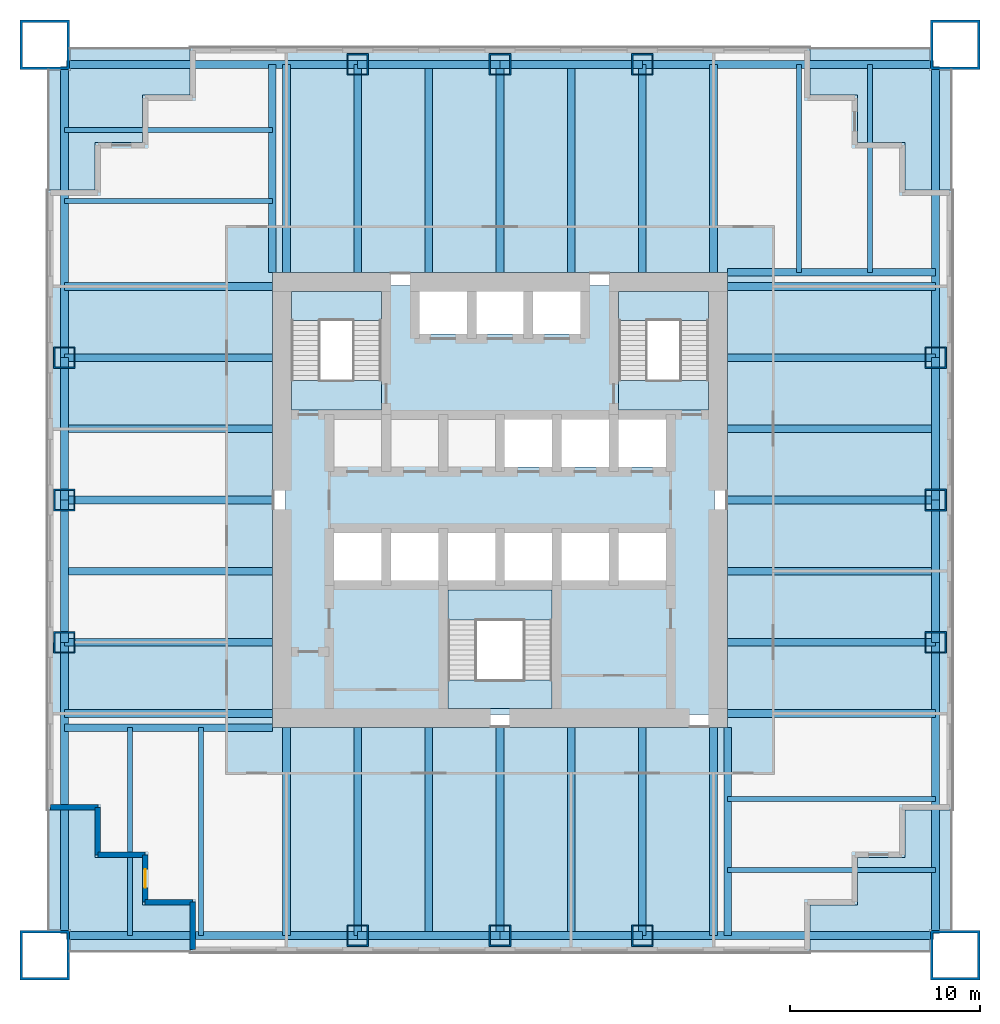
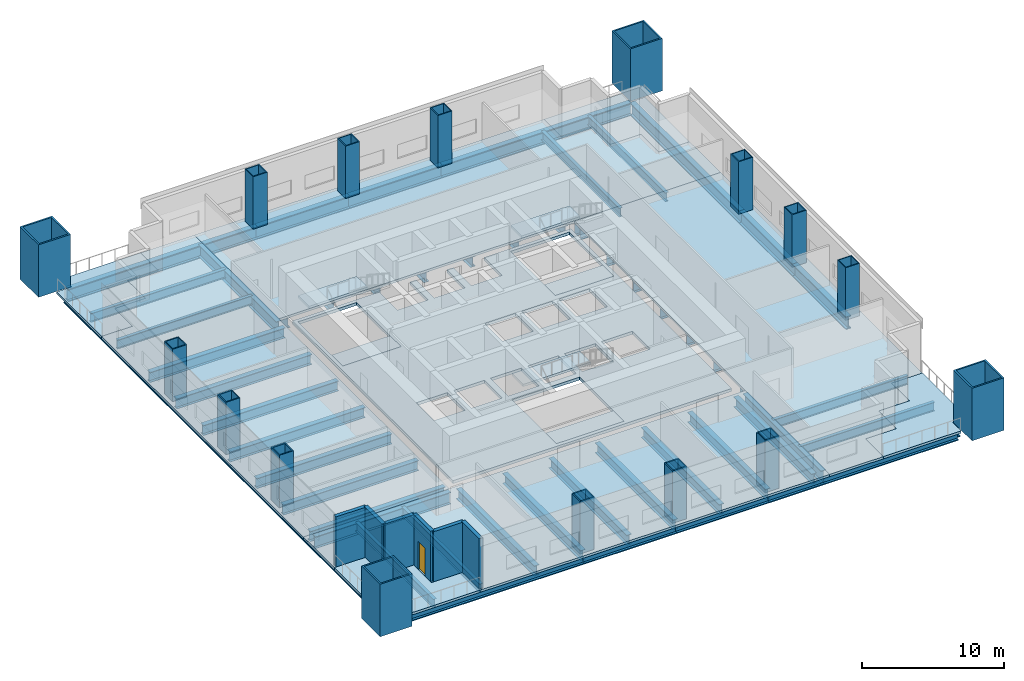
# One storey, part 1 of 6: 56 beams, 16 columns, 15 slabs, 6 walls, 1 door, 1 opening, 3 elements without a shape of their own.
"""IFC4 building model written with IfcOpenShell, lengths in metres."""

from ifc_helpers import new_model, si_unit, direction, frame, frame_2d, origin, origin_2d, place, context, subcontext, project, spatial, polyline, rectangle, hollow_rectangle, i_section, outline, extrude, material, layer, layer_set, material_profile, profile_set, type_object, element, fill, aggregate, save


model = new_model("IFC4")

# Units and contexts
model_context = context("Model", 3, precision=1e-05, world=origin(), true_north=direction((0.0, 1.0)))
body_context = subcontext(model_context, "Body", "Model", "MODEL_VIEW")
ifc_project = project(units=[si_unit("LENGTHUNIT", "METRE"), si_unit("AREAUNIT", "SQUARE_METRE"), si_unit("VOLUMEUNIT", "CUBIC_METRE"), si_unit("PLANEANGLEUNIT", "RADIAN"), si_unit("MASSUNIT", "GRAM", prefix="KILO")], contexts=[model_context])

# Site, building, storey
site_placement = place(None, origin())
site = spatial("IfcSite", under=ifc_project, at=site_placement, CompositionType="ELEMENT")
building_placement = place(site_placement, origin())
building = spatial("IfcBuilding", under=site, at=building_placement, Name="Tarangal Relay Tower", CompositionType="ELEMENT")
storey_placement = place(building_placement, frame((0.0, 0.0, 140.39990234375)))
storey = spatial("IfcBuildingStorey", under=building, at=storey_placement, Name="L28", CompositionType="ELEMENT", Elevation=140.39990234375)

# Columns
ifc_material_1 = material(Name="Steel ASTM A572 Grade 42", Category="steel")
ifc_material_profile_1 = material_profile(ifc_material_1, hollow_rectangle(XDim=2.60009765625, YDim=2.60009765625, WallThickness=0.1298828125, at=origin_2d()), Name="BOX2600X2600X130")
ifc_profile_set_1 = profile_set([ifc_material_profile_1], Name="Steel ASTM A572 Grade 42")
column_type_1 = type_object("IfcColumnType", Name="Mega column BOX2600X2600X130", PredefinedType="COLUMN", material=ifc_profile_set_1)
for number, where, z_axis, x_axis, name in (
    (1, (24.0, 24.0, 0.0), (0.0, 0.0, 1.0), (1.0, 0.0, 0.0), "Mega column MC2 NE L28"),
    (2, (24.0, -24.0, 0.0), (0.0, 0.0, 1.0), (1.0, 0.0, 0.0), "Mega column MC2 SE L28"),
    (3, (-24.0, -24.0, 0.0), (0.0, 0.0, 1.0), (1.0, 0.0, 0.0), "Mega column MC2 SW L28"),
    (4, (-24.0, 24.0, 0.0), (0.0, 0.0, 1.0), (1.0, 0.0, 0.0), "Mega column MC2 NW L28"),
):
    element("IfcColumn", number, at=place(storey_placement, frame(where, z_axis=z_axis, x_axis=x_axis)), inside=storey, type_object=column_type_1, Name=name, PredefinedType="COLUMN", context=body_context, shape_type="SweptSolid", body=[
        extrude(hollow_rectangle(XDim=2.60009765625, YDim=2.60009765625, WallThickness=0.1298828125, at=origin_2d()), origin(), (0.0, 0.0, 1.0), 4.5),
    ])
ifc_material_2 = material(Name="Steel ASTM A572 Grade 50", Category="steel")
ifc_material_profile_2 = material_profile(ifc_material_2, hollow_rectangle(XDim=1.14990234375, YDim=1.14990234375, WallThickness=0.074951171875, at=origin_2d()), Name="BOX1150X1150X75")
ifc_profile_set_2 = profile_set([ifc_material_profile_2], Name="Steel ASTM A572 Grade 50")
column_type_2 = type_object("IfcColumnType", Name="Perimeter column BOX1150X1150X75", PredefinedType="COLUMN", material=ifc_profile_set_2)
for number, where, z_axis, x_axis, name in (
    (5, (-7.5, 22.965087890625, 0.0), (0.0, 0.0, 1.0), (1.0, 0.0, 0.0), "Perimeter column PC3 N L28"),
    (6, (0.0, 22.965087890625, 0.0), (0.0, 0.0, 1.0), (1.0, 0.0, 0.0), "Perimeter column PC3 N L28"),
    (7, (7.5, 22.965087890625, 0.0), (0.0, 0.0, 1.0), (1.0, 0.0, 0.0), "Perimeter column PC3 N L28"),
    (8, (22.965087890625, 7.5, 0.0), (0.0, 0.0, 1.0), (1.0, 0.0, 0.0), "Perimeter column PC3 E L28"),
    (9, (22.965087890625, 0.0, 0.0), (0.0, 0.0, 1.0), (1.0, 0.0, 0.0), "Perimeter column PC3 E L28"),
    (10, (22.965087890625, -7.5, 0.0), (0.0, 0.0, 1.0), (1.0, 0.0, 0.0), "Perimeter column PC3 E L28"),
    (11, (7.5, -22.965087890625, 0.0), (0.0, 0.0, 1.0), (1.0, 0.0, 0.0), "Perimeter column PC3 S L28"),
    (12, (0.0, -22.965087890625, 0.0), (0.0, 0.0, 1.0), (1.0, 0.0, 0.0), "Perimeter column PC3 S L28"),
    (13, (-7.5, -22.965087890625, 0.0), (0.0, 0.0, 1.0), (1.0, 0.0, 0.0), "Perimeter column PC3 S L28"),
    (14, (-22.965087890625, -7.5, 0.0), (0.0, 0.0, 1.0), (1.0, 0.0, 0.0), "Perimeter column PC3 W L28"),
    (15, (-22.965087890625, 0.0, 0.0), (0.0, 0.0, 1.0), (1.0, 0.0, 0.0), "Perimeter column PC3 W L28"),
    (16, (-22.965087890625, 7.5, 0.0), (0.0, 0.0, 1.0), (1.0, 0.0, 0.0), "Perimeter column PC3 W L28"),
):
    element("IfcColumn", number, at=place(storey_placement, frame(where, z_axis=z_axis, x_axis=x_axis)), inside=storey, type_object=column_type_2, Name=name, PredefinedType="COLUMN", context=body_context, shape_type="SweptSolid", body=[
        extrude(hollow_rectangle(XDim=1.14990234375, YDim=1.14990234375, WallThickness=0.074951171875, at=origin_2d()), origin(), (0.0, 0.0, 1.0), 4.5),
    ])

# Beams
ifc_material_3 = material(Name="Steel ASTM A992", Category="steel")
ifc_material_profile_3 = material_profile(ifc_material_3, i_section(OverallWidth=0.2666015625, OverallDepth=0.76953125, WebThickness=0.015625, FlangeThickness=0.025390625, at=origin_2d()), Name="W30X132")
ifc_profile_set_3 = profile_set([ifc_material_profile_3], Name="Steel ASTM A992")
beam_type_1 = type_object("IfcBeamType", Name="Corner beam W30X132", PredefinedType="JOIST", material=ifc_profile_set_3)
for number, where, z_axis, x_axis, name in (
    (17, (15.75, 12.0, -0.584716796875), (0.0, 1.0, 0.0), (-1.0, 0.0, 0.0), "Corner beam CB13 N L28"),
    (18, (19.5, 12.0, -0.584716796875), (0.0, 1.0, 0.0), (-1.0, 0.0, 0.0), "Corner beam CB13 N L28"),
    (19, (12.0, -15.75, -0.584716796875), (1.0, 0.0, 0.0), (0.0, 1.0, 0.0), "Corner beam CB13 E L28"),
    (20, (12.0, -19.5, -0.584716796875), (1.0, 0.0, 0.0), (0.0, 1.0, 0.0), "Corner beam CB13 E L28"),
    (21, (-15.75, -12.0, -0.584716796875), (0.0, -1.0, 0.0), (1.0, 0.0, 0.0), "Corner beam CB13 S L28"),
    (22, (-19.5, -12.0, -0.584716796875), (0.0, -1.0, 0.0), (1.0, 0.0, 0.0), "Corner beam CB13 S L28"),
    (23, (-12.0, 15.75, -0.584716796875), (-1.0, 0.0, 0.0), (0.0, -1.0, 0.0), "Corner beam CB13 W L28"),
    (24, (-12.0, 19.5, -0.584716796875), (-1.0, 0.0, 0.0), (0.0, -1.0, 0.0), "Corner beam CB13 W L28"),
):
    element("IfcBeam", number, at=place(storey_placement, frame(where, z_axis=z_axis, x_axis=x_axis)), inside=storey, type_object=beam_type_1, Name=name, PredefinedType="JOIST", context=body_context, shape_type="SweptSolid", body=[
        extrude(i_section(OverallWidth=0.2666015625, OverallDepth=0.76953125, WebThickness=0.015625, FlangeThickness=0.025390625, at=origin_2d()), origin(), (0.0, 0.0, 1.0), 10.965087890625),
    ])
ifc_material_profile_4 = material_profile(ifc_material_3, i_section(OverallWidth=0.4013671875, OverallDepth=1.01611328125, WebThickness=0.02099609375, FlangeThickness=0.0400390625, at=origin_2d()), Name="W40X277")
ifc_profile_set_4 = profile_set([ifc_material_profile_4], Name="Steel ASTM A992")
beam_type_2 = type_object("IfcBeamType", Name="Corner girder W40X277", PredefinedType="BEAM", material=ifc_profile_set_4)
for number, where, z_axis, x_axis, name in (
    (25, (12.0, 12.0, -0.7080078125), (1.0, 0.0, 0.0), (0.0, 1.0, 0.0), "Corner girder CG3 N L28"),
    (26, (12.0, -12.0, -0.7080078125), (0.0, -1.0, 0.0), (1.0, 0.0, 0.0), "Corner girder CG3 E L28"),
    (27, (-12.0, -12.0, -0.7080078125), (-1.0, 0.0, 0.0), (0.0, -1.0, 0.0), "Corner girder CG3 S L28"),
    (28, (-12.0, 12.0, -0.7080078125), (0.0, 1.0, 0.0), (-1.0, 0.0, 0.0), "Corner girder CG3 W L28"),
):
    element("IfcBeam", number, at=place(storey_placement, frame(where, z_axis=z_axis, x_axis=x_axis)), inside=storey, type_object=beam_type_2, Name=name, PredefinedType="BEAM", context=body_context, shape_type="SweptSolid", body=[
        extrude(i_section(OverallWidth=0.4013671875, OverallDepth=1.01611328125, WebThickness=0.02099609375, FlangeThickness=0.0400390625, at=origin_2d()), origin(), (0.0, 0.0, 1.0), 10.965087890625),
    ])
ifc_material_profile_5 = material_profile(ifc_material_3, i_section(OverallWidth=0.42431640625, OverallDepth=1.09228515625, WebThickness=0.04541015625, FlangeThickness=0.08203125, at=origin_2d()), Name="W40X593")
ifc_profile_set_5 = profile_set([ifc_material_profile_5], Name="Steel ASTM A992")
beam_type_3 = type_object("IfcBeamType", Name="Edge girder W40X593", PredefinedType="SPANDREL", material=ifc_profile_set_5)
beam_1_placement = place(storey_placement, frame((-22.85009765625, 22.965087890625, -0.74609375), z_axis=(1.0, 0.0, 0.0), x_axis=(0.0, 1.0, 0.0)))
element("IfcBeam", 29, at=beam_1_placement, inside=storey, type_object=beam_type_3, Name="Edge girder EG9 N L28", PredefinedType="SPANDREL", context=body_context, shape_type="SweptSolid", body=[
    extrude(i_section(OverallWidth=0.42431640625, OverallDepth=1.09228515625, WebThickness=0.04541015625, FlangeThickness=0.08203125, at=origin_2d()), origin(), (0.0, 0.0, 1.0), 15.35009765625),
])
for number, where, z_axis, x_axis, name in (
    (30, (-7.5, 22.965087890625, -0.74609375), (1.0, 0.0, 0.0), (0.0, 1.0, 0.0), "Edge girder EG9 N L28"),
    (31, (0.0, 22.965087890625, -0.74609375), (1.0, 0.0, 0.0), (0.0, 1.0, 0.0), "Edge girder EG9 N L28"),
):
    element("IfcBeam", number, at=place(storey_placement, frame(where, z_axis=z_axis, x_axis=x_axis)), inside=storey, type_object=beam_type_3, Name=name, PredefinedType="SPANDREL", context=body_context, shape_type="SweptSolid", body=[
        extrude(i_section(OverallWidth=0.42431640625, OverallDepth=1.09228515625, WebThickness=0.04541015625, FlangeThickness=0.08203125, at=origin_2d()), origin(), (0.0, 0.0, 1.0), 7.5),
    ])
for number, where, z_axis, x_axis, name in (
    (32, (7.5, 22.965087890625, -0.74609375), (1.0, 0.0, 0.0), (0.0, 1.0, 0.0), "Edge girder EG9 N L28"),
    (33, (22.965087890625, 22.85009765625, -0.74609375), (0.0, -1.0, 0.0), (1.0, 0.0, 0.0), "Edge girder EG9 E L28"),
):
    element("IfcBeam", number, at=place(storey_placement, frame(where, z_axis=z_axis, x_axis=x_axis)), inside=storey, type_object=beam_type_3, Name=name, PredefinedType="SPANDREL", context=body_context, shape_type="SweptSolid", body=[
        extrude(i_section(OverallWidth=0.42431640625, OverallDepth=1.09228515625, WebThickness=0.04541015625, FlangeThickness=0.08203125, at=origin_2d()), origin(), (0.0, 0.0, 1.0), 15.35009765625),
    ])
for number, where, z_axis, x_axis, name in (
    (34, (22.965087890625, 7.5, -0.74609375), (0.0, -1.0, 0.0), (1.0, 0.0, 0.0), "Edge girder EG9 E L28"),
    (35, (22.965087890625, 0.0, -0.74609375), (0.0, -1.0, 0.0), (1.0, 0.0, 0.0), "Edge girder EG9 E L28"),
):
    element("IfcBeam", number, at=place(storey_placement, frame(where, z_axis=z_axis, x_axis=x_axis)), inside=storey, type_object=beam_type_3, Name=name, PredefinedType="SPANDREL", context=body_context, shape_type="SweptSolid", body=[
        extrude(i_section(OverallWidth=0.42431640625, OverallDepth=1.09228515625, WebThickness=0.04541015625, FlangeThickness=0.08203125, at=origin_2d()), origin(), (0.0, 0.0, 1.0), 7.5),
    ])
for number, where, z_axis, x_axis, name in (
    (36, (22.965087890625, -7.5, -0.74609375), (0.0, -1.0, 0.0), (1.0, 0.0, 0.0), "Edge girder EG9 E L28"),
    (37, (22.85009765625, -22.965087890625, -0.74609375), (-1.0, 0.0, 0.0), (0.0, -1.0, 0.0), "Edge girder EG9 S L28"),
):
    element("IfcBeam", number, at=place(storey_placement, frame(where, z_axis=z_axis, x_axis=x_axis)), inside=storey, type_object=beam_type_3, Name=name, PredefinedType="SPANDREL", context=body_context, shape_type="SweptSolid", body=[
        extrude(i_section(OverallWidth=0.42431640625, OverallDepth=1.09228515625, WebThickness=0.04541015625, FlangeThickness=0.08203125, at=origin_2d()), origin(), (0.0, 0.0, 1.0), 15.35009765625),
    ])
for number, where, z_axis, x_axis, name in (
    (38, (7.5, -22.965087890625, -0.74609375), (-1.0, 0.0, 0.0), (0.0, -1.0, 0.0), "Edge girder EG9 S L28"),
    (39, (0.0, -22.965087890625, -0.74609375), (-1.0, 0.0, 0.0), (0.0, -1.0, 0.0), "Edge girder EG9 S L28"),
):
    element("IfcBeam", number, at=place(storey_placement, frame(where, z_axis=z_axis, x_axis=x_axis)), inside=storey, type_object=beam_type_3, Name=name, PredefinedType="SPANDREL", context=body_context, shape_type="SweptSolid", body=[
        extrude(i_section(OverallWidth=0.42431640625, OverallDepth=1.09228515625, WebThickness=0.04541015625, FlangeThickness=0.08203125, at=origin_2d()), origin(), (0.0, 0.0, 1.0), 7.5),
    ])
for number, where, z_axis, x_axis, name in (
    (40, (-7.5, -22.965087890625, -0.74609375), (-1.0, 0.0, 0.0), (0.0, -1.0, 0.0), "Edge girder EG9 S L28"),
    (41, (-22.965087890625, -22.85009765625, -0.74609375), (0.0, 1.0, 0.0), (-1.0, 0.0, 0.0), "Edge girder EG9 W L28"),
):
    element("IfcBeam", number, at=place(storey_placement, frame(where, z_axis=z_axis, x_axis=x_axis)), inside=storey, type_object=beam_type_3, Name=name, PredefinedType="SPANDREL", context=body_context, shape_type="SweptSolid", body=[
        extrude(i_section(OverallWidth=0.42431640625, OverallDepth=1.09228515625, WebThickness=0.04541015625, FlangeThickness=0.08203125, at=origin_2d()), origin(), (0.0, 0.0, 1.0), 15.35009765625),
    ])
for number, where, z_axis, x_axis, name in (
    (42, (-22.965087890625, -7.5, -0.74609375), (0.0, 1.0, 0.0), (-1.0, 0.0, 0.0), "Edge girder EG9 W L28"),
    (43, (-22.965087890625, 0.0, -0.74609375), (0.0, 1.0, 0.0), (-1.0, 0.0, 0.0), "Edge girder EG9 W L28"),
):
    element("IfcBeam", number, at=place(storey_placement, frame(where, z_axis=z_axis, x_axis=x_axis)), inside=storey, type_object=beam_type_3, Name=name, PredefinedType="SPANDREL", context=body_context, shape_type="SweptSolid", body=[
        extrude(i_section(OverallWidth=0.42431640625, OverallDepth=1.09228515625, WebThickness=0.04541015625, FlangeThickness=0.08203125, at=origin_2d()), origin(), (0.0, 0.0, 1.0), 7.5),
    ])
beam_2_placement = place(storey_placement, frame((-22.965087890625, 7.5, -0.74609375), z_axis=(0.0, 1.0, 0.0), x_axis=(-1.0, 0.0, 0.0)))
element("IfcBeam", 44, at=beam_2_placement, inside=storey, type_object=beam_type_3, Name="Edge girder EG9 W L28", PredefinedType="SPANDREL", context=body_context, shape_type="SweptSolid", body=[
    extrude(i_section(OverallWidth=0.42431640625, OverallDepth=1.09228515625, WebThickness=0.04541015625, FlangeThickness=0.08203125, at=origin_2d()), origin(), (0.0, 0.0, 1.0), 15.35009765625),
])
ifc_material_profile_6 = material_profile(ifc_material_3, i_section(OverallWidth=0.40380859375, OverallDepth=0.86865234375, WebThickness=0.02099609375, FlangeThickness=0.03564453125, at=origin_2d()), Name="W33X241")
ifc_profile_set_6 = profile_set([ifc_material_profile_6], Name="Steel ASTM A992")
beam_type_4 = type_object("IfcBeamType", Name="Floor beam W33X241", PredefinedType="BEAM", material=ifc_profile_set_6)
for number, where, z_axis, x_axis, name in (
    (45, (-11.25, 12.0, -0.63427734375), (0.0, 1.0, 0.0), (-1.0, 0.0, 0.0), "Floor beam RB11 N L28"),
    (46, (-7.5, 12.0, -0.63427734375), (0.0, 1.0, 0.0), (-1.0, 0.0, 0.0), "Floor beam RB11 N L28"),
    (47, (-3.75, 12.0, -0.63427734375), (0.0, 1.0, 0.0), (-1.0, 0.0, 0.0), "Floor beam RB11 N L28"),
    (48, (0.0, 12.0, -0.63427734375), (0.0, 1.0, 0.0), (-1.0, 0.0, 0.0), "Floor beam RB11 N L28"),
    (49, (3.75, 12.0, -0.63427734375), (0.0, 1.0, 0.0), (-1.0, 0.0, 0.0), "Floor beam RB11 N L28"),
    (50, (7.5, 12.0, -0.63427734375), (0.0, 1.0, 0.0), (-1.0, 0.0, 0.0), "Floor beam RB11 N L28"),
    (51, (11.25, 12.0, -0.63427734375), (0.0, 1.0, 0.0), (-1.0, 0.0, 0.0), "Floor beam RB11 N L28"),
    (52, (12.0, 11.25, -0.63427734375), (1.0, 0.0, 0.0), (0.0, 1.0, 0.0), "Floor beam RB11 E L28"),
    (53, (12.0, 7.5, -0.63427734375), (1.0, 0.0, 0.0), (0.0, 1.0, 0.0), "Floor beam RB11 E L28"),
    (54, (12.0, 3.75, -0.63427734375), (1.0, 0.0, 0.0), (0.0, 1.0, 0.0), "Floor beam RB11 E L28"),
    (55, (12.0, 0.0, -0.63427734375), (1.0, 0.0, 0.0), (0.0, 1.0, 0.0), "Floor beam RB11 E L28"),
    (56, (12.0, -3.75, -0.63427734375), (1.0, 0.0, 0.0), (0.0, 1.0, 0.0), "Floor beam RB11 E L28"),
    (57, (12.0, -7.5, -0.63427734375), (1.0, 0.0, 0.0), (0.0, 1.0, 0.0), "Floor beam RB11 E L28"),
    (58, (12.0, -11.25, -0.63427734375), (1.0, 0.0, 0.0), (0.0, 1.0, 0.0), "Floor beam RB11 E L28"),
    (59, (11.25, -12.0, -0.63427734375), (0.0, -1.0, 0.0), (1.0, 0.0, 0.0), "Floor beam RB11 S L28"),
    (60, (7.5, -12.0, -0.63427734375), (0.0, -1.0, 0.0), (1.0, 0.0, 0.0), "Floor beam RB11 S L28"),
    (61, (3.75, -12.0, -0.63427734375), (0.0, -1.0, 0.0), (1.0, 0.0, 0.0), "Floor beam RB11 S L28"),
    (62, (0.0, -12.0, -0.63427734375), (0.0, -1.0, 0.0), (1.0, 0.0, 0.0), "Floor beam RB11 S L28"),
    (63, (-3.75, -12.0, -0.63427734375), (0.0, -1.0, 0.0), (1.0, 0.0, 0.0), "Floor beam RB11 S L28"),
    (64, (-7.5, -12.0, -0.63427734375), (0.0, -1.0, 0.0), (1.0, 0.0, 0.0), "Floor beam RB11 S L28"),
    (65, (-11.25, -12.0, -0.63427734375), (0.0, -1.0, 0.0), (1.0, 0.0, 0.0), "Floor beam RB11 S L28"),
    (66, (-12.0, -11.25, -0.63427734375), (-1.0, 0.0, 0.0), (0.0, -1.0, 0.0), "Floor beam RB11 W L28"),
    (67, (-12.0, -7.5, -0.63427734375), (-1.0, 0.0, 0.0), (0.0, -1.0, 0.0), "Floor beam RB11 W L28"),
    (68, (-12.0, -3.75, -0.63427734375), (-1.0, 0.0, 0.0), (0.0, -1.0, 0.0), "Floor beam RB11 W L28"),
    (69, (-12.0, 0.0, -0.63427734375), (-1.0, 0.0, 0.0), (0.0, -1.0, 0.0), "Floor beam RB11 W L28"),
    (70, (-12.0, 3.75, -0.63427734375), (-1.0, 0.0, 0.0), (0.0, -1.0, 0.0), "Floor beam RB11 W L28"),
    (71, (-12.0, 7.5, -0.63427734375), (-1.0, 0.0, 0.0), (0.0, -1.0, 0.0), "Floor beam RB11 W L28"),
    (72, (-12.0, 11.25, -0.63427734375), (-1.0, 0.0, 0.0), (0.0, -1.0, 0.0), "Floor beam RB11 W L28"),
):
    element("IfcBeam", number, at=place(storey_placement, frame(where, z_axis=z_axis, x_axis=x_axis)), inside=storey, type_object=beam_type_4, Name=name, PredefinedType="BEAM", context=body_context, shape_type="SweptSolid", body=[
        extrude(i_section(OverallWidth=0.40380859375, OverallDepth=0.86865234375, WebThickness=0.02099609375, FlangeThickness=0.03564453125, at=origin_2d()), origin(), (0.0, 0.0, 1.0), 10.965087890625),
    ])

# Slabs
ifc_material_4 = material(Name="Concrete fc' 35 MPa", Category="concrete")
ifc_layer_1 = layer(ifc_material_4, 0.25)
ifc_layer_set_1 = layer_set([ifc_layer_1], Name="Core floor slab 250")
slab_type_1 = type_object("IfcSlabType", Name="Core floor slab 250", PredefinedType="FLOOR", material=ifc_layer_set_1)
slab_1_placement = place(storey_placement, frame((0.0, 0.0, -0.25)))
element("IfcSlab", 73, at=slab_1_placement, inside=storey, type_object=slab_type_1, Name="Core floor slab L28", PredefinedType="FLOOR", context=body_context, shape_type="SweptSolid", body=[
    extrude(outline(polyline([(11.300048828125, 11.300048828125), (11.300048828125, -11.300048828125), (-11.300048828125, -11.300048828125), (-11.300048828125, 11.300048828125), (-4.25, 11.300048828125), (-4.25, 8.75), (-1.75, 8.75), (-1.75, 11.300048828125), (-1.25, 11.300048828125), (-1.25, 8.75), (1.25, 8.75), (1.25, 11.300048828125), (1.75, 11.300048828125), (1.75, 8.75), (4.25, 8.75), (4.25, 11.300048828125), (11.300048828125, 11.300048828125)]), holes=[polyline([(2.75, -4.75), (-2.75, -4.75), (-2.75, -11.0), (2.75, -11.0), (2.75, -4.75)]), polyline([(-6.25, -4.25), (-6.25, -1.75), (-8.75, -1.75), (-8.75, -4.25), (-6.25, -4.25)]), polyline([(-3.25, -4.25), (-3.25, -1.75), (-5.75, -1.75), (-5.75, -4.25), (-3.25, -4.25)]), polyline([(-0.25, -4.25), (-0.25, -1.75), (-2.75, -1.75), (-2.75, -4.25), (-0.25, -4.25)]), polyline([(2.75, 1.75), (2.75, 4.25), (0.25, 4.25), (0.25, 1.75), (2.75, 1.75)]), polyline([(-6.25, 4.75), (-6.25, 11.0), (-11.0, 11.0), (-11.0, 4.75), (-6.25, 4.75)]), polyline([(2.75, -4.25), (2.75, -1.75), (0.25, -1.75), (0.25, -4.25), (2.75, -4.25)]), polyline([(5.75, -4.25), (5.75, -1.75), (3.25, -1.75), (3.25, -4.25), (5.75, -4.25)]), polyline([(8.75, -4.25), (8.75, -1.75), (6.25, -1.75), (6.25, -4.25), (8.75, -4.25)]), polyline([(5.75, 1.75), (5.75, 4.25), (3.25, 4.25), (3.25, 1.75), (5.75, 1.75)]), polyline([(8.75, 1.75), (8.75, 4.25), (6.25, 4.25), (6.25, 1.75), (8.75, 1.75)]), polyline([(11.0, 4.75), (11.0, 11.0), (6.25, 11.0), (6.25, 4.75), (11.0, 4.75)])]), origin(), (0.0, 0.0, 1.0), 0.25),
])
ifc_layer_2 = layer(ifc_material_4, 0.199951171875)
ifc_layer_set_2 = layer_set([ifc_layer_2], Name="Floor slab 200")
slab_type_2 = type_object("IfcSlabType", Name="Floor slab 200", PredefinedType="FLOOR", material=ifc_layer_set_2)
slab_2_placement = place(storey_placement, frame((0.0, 0.0, -0.199951171875)))
element("IfcSlab", 74, at=slab_2_placement, inside=storey, type_object=slab_type_2, Name="Floor slab FS2 L28 north bay", PredefinedType="FLOOR", context=body_context, shape_type="SweptSolid", body=[
    extrude(outline(polyline([(16.35009765625, 23.85009765625), (16.35009765625, 21.35009765625), (18.85009765625, 21.35009765625), (18.85009765625, 18.85009765625), (21.35009765625, 18.85009765625), (21.35009765625, 16.35009765625), (23.85009765625, 16.35009765625), (23.85009765625, 12.0), (-12.0, 12.0), (-12.0, 23.85009765625), (16.35009765625, 23.85009765625)])), origin(), (0.0, 0.0, 1.0), 0.199951171875),
])
slab_3_placement = place(storey_placement, frame((0.0, 0.0, -0.199951171875)))
element("IfcSlab", 75, at=slab_3_placement, inside=storey, type_object=slab_type_2, Name="Floor slab FS2 L28 east bay", PredefinedType="FLOOR", context=body_context, shape_type="SweptSolid", body=[
    extrude(outline(polyline([(23.85009765625, -16.35009765625), (21.35009765625, -16.35009765625), (21.35009765625, -18.85009765625), (18.85009765625, -18.85009765625), (18.85009765625, -21.35009765625), (16.35009765625, -21.35009765625), (16.35009765625, -23.85009765625), (12.0, -23.85009765625), (12.0, 12.0), (23.85009765625, 12.0), (23.85009765625, -16.35009765625)])), origin(), (0.0, 0.0, 1.0), 0.199951171875),
])
slab_4_placement = place(storey_placement, frame((0.0, 0.0, -0.199951171875)))
element("IfcSlab", 76, at=slab_4_placement, inside=storey, type_object=slab_type_2, Name="Floor slab FS2 L28 south bay", PredefinedType="FLOOR", context=body_context, shape_type="SweptSolid", body=[
    extrude(outline(polyline([(-16.35009765625, -23.85009765625), (-16.35009765625, -21.35009765625), (-18.85009765625, -21.35009765625), (-18.85009765625, -18.85009765625), (-21.35009765625, -18.85009765625), (-21.35009765625, -16.35009765625), (-23.85009765625, -16.35009765625), (-23.85009765625, -12.0), (12.0, -12.0), (12.0, -23.85009765625), (-16.35009765625, -23.85009765625)])), origin(), (0.0, 0.0, 1.0), 0.199951171875),
])
slab_5_placement = place(storey_placement, frame((0.0, 0.0, -0.199951171875)))
element("IfcSlab", 77, at=slab_5_placement, inside=storey, type_object=slab_type_2, Name="Floor slab FS2 L28 west bay", PredefinedType="FLOOR", context=body_context, shape_type="SweptSolid", body=[
    extrude(outline(polyline([(-12.0, 23.85009765625), (-12.0, -12.0), (-23.85009765625, -12.0), (-23.85009765625, 16.35009765625), (-21.35009765625, 16.35009765625), (-21.35009765625, 18.85009765625), (-18.85009765625, 18.85009765625), (-18.85009765625, 21.35009765625), (-16.35009765625, 21.35009765625), (-16.35009765625, 23.85009765625), (-12.0, 23.85009765625)])), origin(), (0.0, 0.0, 1.0), 0.199951171875),
])

# Stair, slabs
ifc_material_5 = material(Name="Steel ASTM A992 stair flight", Category="steel")
stair_type = type_object("IfcStairType", Name="Core stair 1500", PredefinedType="HALF_TURN_STAIR", material=ifc_material_5)
stair_1_placement = place(storey_placement, origin())
stair_1 = element("IfcStair", 78, at=stair_1_placement, inside=storey, type_object=stair_type, Name="Stair ST-A L28", PredefinedType="HALF_TURN_STAIR")
ifc_layer_3 = layer(ifc_material_4, 0.199951171875)
ifc_layer_set_3 = layer_set([ifc_layer_3], Name="Stair landing 200")
slab_type_3 = type_object("IfcSlabType", Name="Stair landing 200", PredefinedType="LANDING", material=ifc_layer_set_3)
slab_6_placement = place(storey_placement, frame((0.0, 0.0, -0.199951171875)))
slab_6 = element("IfcSlab", 79, at=slab_6_placement, type_object=slab_type_3, Name="ST-A landing 1", PredefinedType="LANDING", context=body_context, shape_type="SweptSolid", body=[
    extrude(outline(polyline([(-11.0, 4.75), (-6.25, 4.75), (-6.25, 6.300048828125), (-11.0, 6.300048828125), (-11.0, 4.75)])), origin(), (0.0, 0.0, 1.0), 0.199951171875),
])
slab_7_placement = place(storey_placement, frame((0.0, 0.0, 2.050048828125)))
slab_7 = element("IfcSlab", 80, at=slab_7_placement, type_object=slab_type_3, Name="ST-A landing 2", PredefinedType="LANDING", context=body_context, shape_type="SweptSolid", body=[
    extrude(outline(polyline([(-11.0, 9.468017578125), (-6.25, 9.468017578125), (-6.25, 11.0), (-11.0, 11.0), (-11.0, 9.468017578125)])), origin(), (0.0, 0.0, 1.0), 0.199951171875),
])
aggregate(stair_1, [slab_6, slab_7])

stair_2_placement = place(storey_placement, origin())
stair_2 = element("IfcStair", 81, at=stair_2_placement, inside=storey, type_object=stair_type, Name="Stair ST-B L28", PredefinedType="HALF_TURN_STAIR")
slab_8_placement = place(storey_placement, frame((0.0, 0.0, -0.199951171875)))
slab_8 = element("IfcSlab", 82, at=slab_8_placement, type_object=slab_type_3, Name="ST-B landing 1", PredefinedType="LANDING", context=body_context, shape_type="SweptSolid", body=[
    extrude(outline(polyline([(6.25, 4.75), (11.0, 4.75), (11.0, 6.300048828125), (6.25, 6.300048828125), (6.25, 4.75)])), origin(), (0.0, 0.0, 1.0), 0.199951171875),
])
slab_9_placement = place(storey_placement, frame((0.0, 0.0, 2.050048828125)))
slab_9 = element("IfcSlab", 83, at=slab_9_placement, type_object=slab_type_3, Name="ST-B landing 2", PredefinedType="LANDING", context=body_context, shape_type="SweptSolid", body=[
    extrude(outline(polyline([(6.25, 9.468017578125), (11.0, 9.468017578125), (11.0, 11.0), (6.25, 11.0), (6.25, 9.468017578125)])), origin(), (0.0, 0.0, 1.0), 0.199951171875),
])
aggregate(stair_2, [slab_8, slab_9])

stair_3_placement = place(storey_placement, origin())
stair_3 = element("IfcStair", 84, at=stair_3_placement, inside=storey, type_object=stair_type, Name="Stair ST-C L28", PredefinedType="HALF_TURN_STAIR")
slab_10_placement = place(storey_placement, frame((0.0, 0.0, -0.199951171875)))
slab_10 = element("IfcSlab", 85, at=slab_10_placement, type_object=slab_type_3, Name="ST-C landing 1", PredefinedType="LANDING", context=body_context, shape_type="SweptSolid", body=[
    extrude(outline(polyline([(-2.75, -11.0), (2.75, -11.0), (2.75, -9.5), (-2.75, -9.5), (-2.75, -11.0)])), origin(), (0.0, 0.0, 1.0), 0.199951171875),
])
slab_11_placement = place(storey_placement, frame((0.0, 0.0, 2.050048828125)))
slab_11 = element("IfcSlab", 86, at=slab_11_placement, type_object=slab_type_3, Name="ST-C landing 2", PredefinedType="LANDING", context=body_context, shape_type="SweptSolid", body=[
    extrude(outline(polyline([(-2.75, -6.33203125), (2.75, -6.33203125), (2.75, -4.75), (-2.75, -4.75), (-2.75, -6.33203125)])), origin(), (0.0, 0.0, 1.0), 0.199951171875),
])
aggregate(stair_3, [slab_10, slab_11])

# Slabs
ifc_layer_4 = layer(ifc_material_4, 0.199951171875)
ifc_layer_set_4 = layer_set([ifc_layer_4], Name="Terrace slab 200")
slab_type_4 = type_object("IfcSlabType", Name="Terrace slab 200", PredefinedType="FLOOR", material=ifc_layer_set_4)
slab_12_placement = place(storey_placement, frame((0.0, 0.0, -0.199951171875)))
element("IfcSlab", 87, at=slab_12_placement, inside=storey, type_object=slab_type_4, Name="Corner terrace NE L28", PredefinedType="FLOOR", context=body_context, shape_type="SweptSolid", body=[
    extrude(outline(polyline([(16.35009765625, 23.85009765625), (16.35009765625, 21.35009765625), (18.85009765625, 21.35009765625), (18.85009765625, 18.85009765625), (21.35009765625, 18.85009765625), (21.35009765625, 16.35009765625), (23.85009765625, 16.35009765625), (23.85009765625, 22.64990234375), (22.64990234375, 22.64990234375), (22.64990234375, 23.85009765625), (16.35009765625, 23.85009765625)])), origin(), (0.0, 0.0, 1.0), 0.199951171875),
])
slab_13_placement = place(storey_placement, frame((0.0, 0.0, -0.199951171875)))
element("IfcSlab", 88, at=slab_13_placement, inside=storey, type_object=slab_type_4, Name="Corner terrace SE L28", PredefinedType="FLOOR", context=body_context, shape_type="SweptSolid", body=[
    extrude(outline(polyline([(23.85009765625, -16.35009765625), (21.35009765625, -16.35009765625), (21.35009765625, -18.85009765625), (18.85009765625, -18.85009765625), (18.85009765625, -21.35009765625), (16.35009765625, -21.35009765625), (16.35009765625, -23.85009765625), (22.64990234375, -23.85009765625), (22.64990234375, -22.64990234375), (23.85009765625, -22.64990234375), (23.85009765625, -16.35009765625)])), origin(), (0.0, 0.0, 1.0), 0.199951171875),
])
slab_14_placement = place(storey_placement, frame((0.0, 0.0, -0.199951171875)))
element("IfcSlab", 89, at=slab_14_placement, inside=storey, type_object=slab_type_4, Name="Corner terrace SW L28", PredefinedType="FLOOR", context=body_context, shape_type="SweptSolid", body=[
    extrude(outline(polyline([(-16.35009765625, -23.85009765625), (-16.35009765625, -21.35009765625), (-18.85009765625, -21.35009765625), (-18.85009765625, -18.85009765625), (-21.35009765625, -18.85009765625), (-21.35009765625, -16.35009765625), (-23.85009765625, -16.35009765625), (-23.85009765625, -22.64990234375), (-22.64990234375, -22.64990234375), (-22.64990234375, -23.85009765625), (-16.35009765625, -23.85009765625)])), origin(), (0.0, 0.0, 1.0), 0.199951171875),
])
slab_15_placement = place(storey_placement, frame((0.0, 0.0, -0.199951171875)))
element("IfcSlab", 90, at=slab_15_placement, inside=storey, type_object=slab_type_4, Name="Corner terrace NW L28", PredefinedType="FLOOR", context=body_context, shape_type="SweptSolid", body=[
    extrude(outline(polyline([(-23.85009765625, 16.35009765625), (-21.35009765625, 16.35009765625), (-21.35009765625, 18.85009765625), (-18.85009765625, 18.85009765625), (-18.85009765625, 21.35009765625), (-16.35009765625, 21.35009765625), (-16.35009765625, 23.85009765625), (-22.64990234375, 23.85009765625), (-22.64990234375, 22.64990234375), (-23.85009765625, 22.64990234375), (-23.85009765625, 16.35009765625)])), origin(), (0.0, 0.0, 1.0), 0.199951171875),
])

# Walls
ifc_material_6 = material(Name="Insulated precast concrete fc' 40 MPa", Category="concrete")
ifc_layer_5 = layer(ifc_material_6, 0.300048828125)
ifc_layer_set_5 = layer_set([ifc_layer_5], Name="Insulated precast concrete fc' 40 MPa")
wall_type = type_object("IfcWallType", Name="Facade wall precast 300", PredefinedType="SOLIDWALL", material=ifc_layer_set_5)
for number, where, z_axis, x_axis, name in (
    (91, (-16.199951171875, -23.699951171875, 0.0), (0.0, 0.0, 1.0), (0.0, 1.0, 0.0), "Facade wall S facade L28"),
    (92, (-16.199951171875, -21.199951171875, 0.0), (0.0, 0.0, 1.0), (-1.0, 0.0, 0.0), "Facade wall S facade L28"),
):
    element("IfcWall", number, at=place(storey_placement, frame(where, z_axis=z_axis, x_axis=x_axis)), inside=storey, type_object=wall_type, Name=name, PredefinedType="SOLIDWALL", context=body_context, shape_type="SweptSolid", body=[
        extrude(rectangle(XDim=2.5, YDim=0.300048828125, at=frame_2d((1.25, 0.0))), origin(), (0.0, 0.0, 1.0), 4.300048828125),
    ])

# Wall, opening, door
wall_placement = place(storey_placement, frame((-18.699951171875, -21.199951171875, 0.0), z_axis=(0.0, 0.0, 1.0), x_axis=(0.0, 1.0, 0.0)))
wall = element("IfcWall", 93, at=wall_placement, inside=storey, type_object=wall_type, Name="Facade wall S facade L28", PredefinedType="SOLIDWALL", context=body_context, shape_type="SweptSolid", body=[
    extrude(rectangle(XDim=2.5, YDim=0.300048828125, at=frame_2d((1.25, 0.0))), origin(), (0.0, 0.0, 1.0), 4.300048828125),
])
opening_placement = place(wall_placement, frame((0.75, 0.0, 0.0)))
opening = element("IfcOpeningElement", 94, at=opening_placement, cuts=wall, Name="Opening TD1", PredefinedType="OPENING", context=body_context, shape_type="SweptSolid", body=[
    extrude(rectangle(XDim=1.0, YDim=2.39990234375, at=frame_2d((0.5, 1.199951171875))), frame((0.0, 0.159912109375, 0.0), z_axis=(0.0, -1.0, 0.0), x_axis=(1.0, 0.0, 0.0)), (0.0, 0.0, 1.0), 0.320068359375),
])
ifc_material_7 = material(Name="Aluminium glazed door", Category="aluminium")
door_type = type_object("IfcDoorType", Name="Terrace door 1000 x 2400", OperationType="SINGLE_SWING_RIGHT", PredefinedType="DOOR", material=ifc_material_7)
door_placement = place(opening_placement, origin())
door = element("IfcDoor", 95, at=door_placement, inside=storey, type_object=door_type, Name="Terrace door TD1 SW L28", OperationType="SINGLE_SWING_RIGHT", OverallHeight=2.39990234375, OverallWidth=1.0, PredefinedType="DOOR", context=body_context, shape_type="SweptSolid", body=[
    extrude(rectangle(XDim=1.0, YDim=2.39990234375, at=frame_2d((0.5, 1.199951171875))), frame((0.0, 0.02490234375, 0.0), z_axis=(0.0, -1.0, 0.0), x_axis=(1.0, 0.0, 0.0)), (0.0, 0.0, 1.0), 0.050048828125),
])
fill(opening, door)

# Walls
for number, where, z_axis, x_axis, name in (
    (96, (-18.699951171875, -18.699951171875, 0.0), (0.0, 0.0, 1.0), (-1.0, 0.0, 0.0), "Facade wall S facade L28"),
    (97, (-21.199951171875, -18.699951171875, 0.0), (0.0, 0.0, 1.0), (0.0, 1.0, 0.0), "Facade wall S facade L28"),
    (98, (-21.199951171875, -16.199951171875, 0.0), (0.0, 0.0, 1.0), (-1.0, 0.0, 0.0), "Facade wall S facade L28"),
):
    element("IfcWall", number, at=place(storey_placement, frame(where, z_axis=z_axis, x_axis=x_axis)), inside=storey, type_object=wall_type, Name=name, PredefinedType="SOLIDWALL", context=body_context, shape_type="SweptSolid", body=[
        extrude(rectangle(XDim=2.5, YDim=0.300048828125, at=frame_2d((1.25, 0.0))), origin(), (0.0, 0.0, 1.0), 4.300048828125),
    ])

save(model, "model.ifc")
